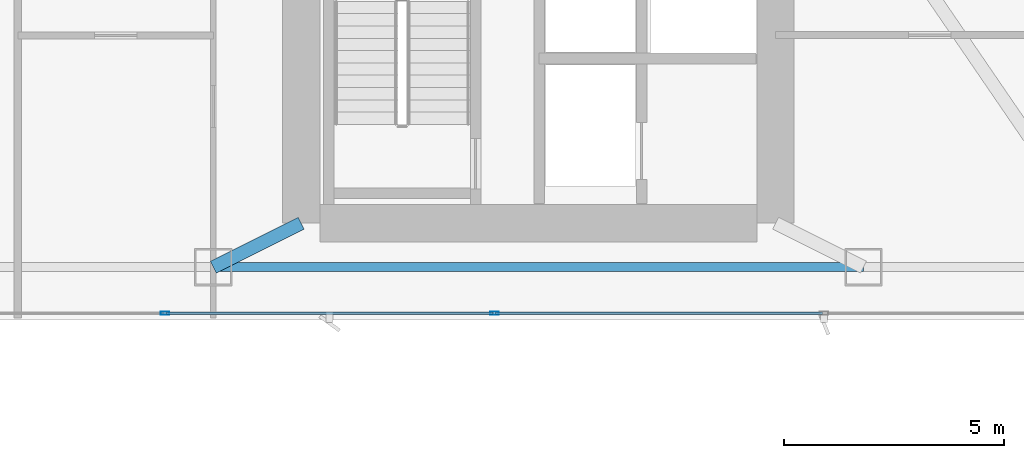
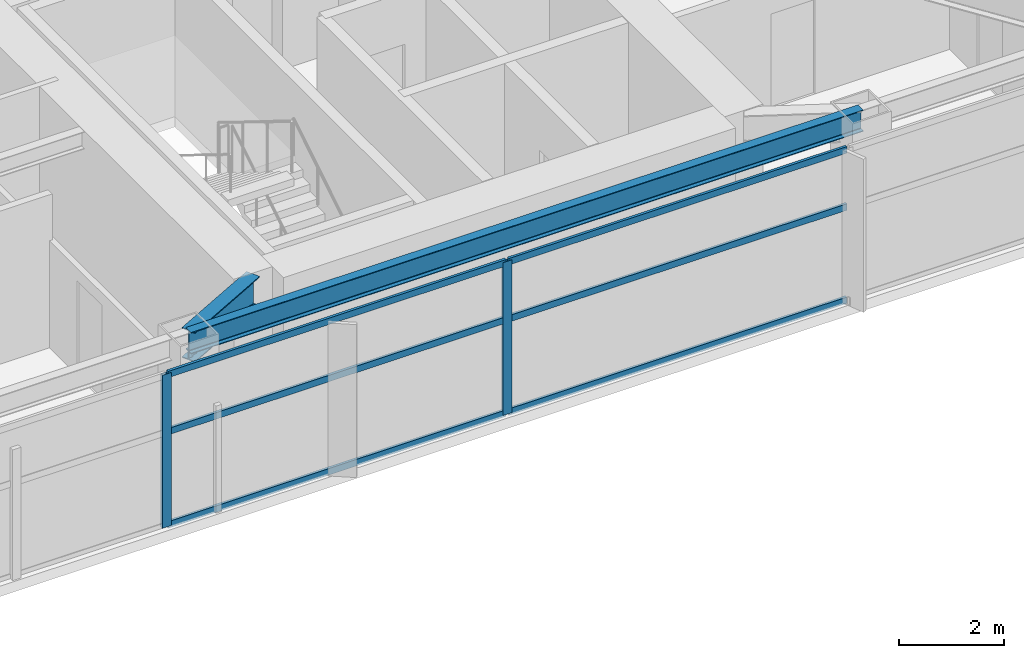
# One storey, part 6 of 28: 8 members, 2 beams, 1 element without a shape of its own.
"""IFC4 building model written with IfcOpenShell, lengths in metres."""

from ifc_helpers import new_model, si_unit, direction, frame, origin, origin_2d, place, context, subcontext, project, spatial, hollow_rectangle, i_section, extrude, material, layer, layer_set, material_profile, profile_set, type_object, element, aggregate, save


model = new_model("IFC4")

# Units and contexts
model_context = context("Model", 3, precision=1e-05, world=origin(), true_north=direction((0.0, 1.0)))
body_context = subcontext(model_context, "Body", "Model", "MODEL_VIEW")
ifc_project = project(units=[si_unit("LENGTHUNIT", "METRE"), si_unit("AREAUNIT", "SQUARE_METRE"), si_unit("VOLUMEUNIT", "CUBIC_METRE"), si_unit("PLANEANGLEUNIT", "RADIAN"), si_unit("MASSUNIT", "GRAM", prefix="KILO")], contexts=[model_context])

# Site, building, storey
site_placement = place(None, origin())
site = spatial("IfcSite", under=ifc_project, at=site_placement, CompositionType="ELEMENT")
building_placement = place(site_placement, origin())
building = spatial("IfcBuilding", under=site, at=building_placement, Name="Calvorn Quay Hotel", CompositionType="ELEMENT")
storey_placement = place(building_placement, frame((0.0, 0.0, 127.800048828125)))
storey = spatial("IfcBuildingStorey", under=building, at=storey_placement, Name="L31", CompositionType="ELEMENT", Elevation=127.800048828125)

# Beams
ifc_material_1 = material(Name="Steel Q390GJC", Category="steel")
ifc_material_profile_1 = material_profile(ifc_material_1, i_section(OverallWidth=0.300048828125, OverallDepth=0.699951171875, WebThickness=0.012939453125, FlangeThickness=0.02392578125, FilletRadius=0.02392578125, at=origin_2d()), Name="HN700x300x13x24")
ifc_profile_set_1 = profile_set([ifc_material_profile_1], Name="Steel Q390GJC")
beam_type_1 = type_object("IfcBeamType", Name="BM-GIRD-MAIN", PredefinedType="BEAM", material=ifc_profile_set_1)
beam_1_placement = place(storey_placement, frame((19.60009765625, 3.60009765625, 3.18994140625), z_axis=(0.894427191, 0.4472135955, 0.0), x_axis=(-0.4472135955, 0.894427191, 0.0)))
element("IfcBeam", 1, at=beam_1_placement, inside=storey, type_object=beam_type_1, Name="Beam BG-L31-S2", PredefinedType="BEAM", context=body_context, shape_type="SweptSolid", body=[
    extrude(i_section(OverallWidth=0.300048828125, OverallDepth=0.699951171875, WebThickness=0.012939453125, FlangeThickness=0.02392578125, FilletRadius=0.02392578125, at=origin_2d()), origin(), (0.0, 0.0, 1.0), 2.236083984375),
])
ifc_material_2 = material(Name="Steel Q355B", Category="steel")
ifc_material_profile_2 = material_profile(ifc_material_2, i_section(OverallWidth=0.199951171875, OverallDepth=0.5, WebThickness=0.010009765625, FlangeThickness=0.01611328125, FilletRadius=0.01611328125, at=origin_2d()), Name="HN500x200x10x16")
ifc_profile_set_2 = profile_set([ifc_material_profile_2], Name="Steel Q355B")
beam_type_2 = type_object("IfcBeamType", Name="BM-SPANDREL-Z1", PredefinedType="SPANDREL", material=ifc_profile_set_2)
beam_2_placement = place(storey_placement, frame((19.60009765625, 3.60009765625, 3.2900390625), z_axis=(1.0, 0.0, 0.0), x_axis=(0.0, 1.0, 0.0)))
element("IfcBeam", 2, at=beam_2_placement, inside=storey, type_object=beam_type_2, Name="Beam BSP-L31-S3", PredefinedType="SPANDREL", context=body_context, shape_type="SweptSolid", body=[
    extrude(i_section(OverallWidth=0.199951171875, OverallDepth=0.5, WebThickness=0.010009765625, FlangeThickness=0.01611328125, FilletRadius=0.01611328125, at=origin_2d()), origin(), (0.0, 0.0, 1.0), 14.7998046875),
])

# Curtain wall, members
ifc_material_3 = material(Name="Pale Anodised Aluminium and Low-E Glass", Category="aluminium")
ifc_layer = layer(ifc_material_3, 0.219970703125)
ifc_layer_set = layer_set([ifc_layer], Name="CW-SYS-Z2")
curtain_wall_type = type_object("IfcCurtainWallType", Name="CW-SYS-Z2", PredefinedType="NOTDEFINED", material=ifc_layer_set)
curtain_wall_placement = place(storey_placement, origin())
curtain_wall = element("IfcCurtainWall", 3, at=curtain_wall_placement, inside=storey, type_object=curtain_wall_type, Name="Tower South Waterfront Curtain Wall (L31)", PredefinedType="NOTDEFINED")
ifc_material_4 = material(Name="Pale Anodised Aluminium 6063-T6", Category="aluminium")
ifc_material_profile_3 = material_profile(ifc_material_4, hollow_rectangle(XDim=0.070068359375, YDim=0.199951171875, WallThickness=0.00390625, at=origin_2d()), Name="ALU-M200x70x4")
ifc_profile_set_3 = profile_set([ifc_material_profile_3], Name="Pale Anodised Aluminium 6063-T6")
member_type_1 = type_object("IfcMemberType", Name="CW-SYS-Z2-MUL", PredefinedType="MULLION", material=ifc_profile_set_3)
member_1_placement = place(storey_placement, frame((18.5, 2.550048828125, 0.0), z_axis=(0.0, 0.0, 1.0), x_axis=(0.0, 1.0, 0.0)))
member_1 = element("IfcMember", 4, at=member_1_placement, type_object=member_type_1, Name="CW-L31-S mullion 2", PredefinedType="MULLION", context=body_context, shape_type="SweptSolid", body=[
    extrude(hollow_rectangle(XDim=0.070068359375, YDim=0.199951171875, WallThickness=0.00390625, at=origin_2d()), origin(), (0.0, 0.0, 1.0), 3.56005859375),
])
member_2_placement = place(storey_placement, frame((26.0, 2.550048828125, 0.0), z_axis=(0.0, 0.0, 1.0), x_axis=(0.0, 1.0, 0.0)))
member_2 = element("IfcMember", 5, at=member_2_placement, type_object=member_type_1, Name="CW-L31-S mullion 3", PredefinedType="MULLION", context=body_context, shape_type="SweptSolid", body=[
    extrude(hollow_rectangle(XDim=0.070068359375, YDim=0.199951171875, WallThickness=0.00390625, at=origin_2d()), origin(), (0.0, 0.0, 1.0), 3.56005859375),
])
ifc_material_5 = material(Name="Pale Anodised Aluminium 6063-T6", Category="aluminium")
ifc_material_profile_4 = material_profile(ifc_material_5, hollow_rectangle(XDim=0.06005859375, YDim=0.14990234375, WallThickness=0.00341796875, at=origin_2d()), Name="ALU-T150x60x3.5")
ifc_profile_set_4 = profile_set([ifc_material_profile_4], Name="Pale Anodised Aluminium 6063-T6")
member_type_2 = type_object("IfcMemberType", Name="CW-SYS-Z2-TRN", PredefinedType="USERDEFINED", material=ifc_profile_set_4)
member_3_placement = place(storey_placement, frame((18.530029296875, 2.550048828125, 0.030029296875), z_axis=(1.0, 0.0, 0.0), x_axis=(0.0, 1.0, 0.0)))
member_3 = element("IfcMember", 6, at=member_3_placement, type_object=member_type_2, Name="CW-L31-S transom 2.1", ObjectType="TRANSOM", PredefinedType="USERDEFINED", context=body_context, shape_type="SweptSolid", body=[
    extrude(hollow_rectangle(XDim=0.06005859375, YDim=0.14990234375, WallThickness=0.00341796875, at=origin_2d()), origin(), (0.0, 0.0, 1.0), 7.43994140625),
])
member_4_placement = place(storey_placement, frame((18.530029296875, 2.550048828125, 2.199951171875), z_axis=(1.0, 0.0, 0.0), x_axis=(0.0, 1.0, 0.0)))
member_4 = element("IfcMember", 7, at=member_4_placement, type_object=member_type_2, Name="CW-L31-S transom 2.2", ObjectType="TRANSOM", PredefinedType="USERDEFINED", context=body_context, shape_type="SweptSolid", body=[
    extrude(hollow_rectangle(XDim=0.06005859375, YDim=0.14990234375, WallThickness=0.00341796875, at=origin_2d()), origin(), (0.0, 0.0, 1.0), 7.43994140625),
])
member_5_placement = place(storey_placement, frame((18.530029296875, 2.550048828125, 3.530029296875), z_axis=(1.0, 0.0, 0.0), x_axis=(0.0, 1.0, 0.0)))
member_5 = element("IfcMember", 8, at=member_5_placement, type_object=member_type_2, Name="CW-L31-S transom 2.3", ObjectType="TRANSOM", PredefinedType="USERDEFINED", context=body_context, shape_type="SweptSolid", body=[
    extrude(hollow_rectangle(XDim=0.06005859375, YDim=0.14990234375, WallThickness=0.00341796875, at=origin_2d()), origin(), (0.0, 0.0, 1.0), 7.43994140625),
])
member_6_placement = place(storey_placement, frame((26.030029296875, 2.550048828125, 0.030029296875), z_axis=(1.0, 0.0, 0.0), x_axis=(0.0, 1.0, 0.0)))
member_6 = element("IfcMember", 9, at=member_6_placement, type_object=member_type_2, Name="CW-L31-S transom 3.1", ObjectType="TRANSOM", PredefinedType="USERDEFINED", context=body_context, shape_type="SweptSolid", body=[
    extrude(hollow_rectangle(XDim=0.06005859375, YDim=0.14990234375, WallThickness=0.00341796875, at=origin_2d()), origin(), (0.0, 0.0, 1.0), 7.43994140625),
])
member_7_placement = place(storey_placement, frame((26.030029296875, 2.550048828125, 2.199951171875), z_axis=(1.0, 0.0, 0.0), x_axis=(0.0, 1.0, 0.0)))
member_7 = element("IfcMember", 10, at=member_7_placement, type_object=member_type_2, Name="CW-L31-S transom 3.2", ObjectType="TRANSOM", PredefinedType="USERDEFINED", context=body_context, shape_type="SweptSolid", body=[
    extrude(hollow_rectangle(XDim=0.06005859375, YDim=0.14990234375, WallThickness=0.00341796875, at=origin_2d()), origin(), (0.0, 0.0, 1.0), 7.43994140625),
])
member_8_placement = place(storey_placement, frame((26.030029296875, 2.550048828125, 3.530029296875), z_axis=(1.0, 0.0, 0.0), x_axis=(0.0, 1.0, 0.0)))
member_8 = element("IfcMember", 11, at=member_8_placement, type_object=member_type_2, Name="CW-L31-S transom 3.3", ObjectType="TRANSOM", PredefinedType="USERDEFINED", context=body_context, shape_type="SweptSolid", body=[
    extrude(hollow_rectangle(XDim=0.06005859375, YDim=0.14990234375, WallThickness=0.00341796875, at=origin_2d()), origin(), (0.0, 0.0, 1.0), 7.43994140625),
])
aggregate(curtain_wall, [member_1, member_2, member_3, member_4, member_5, member_6, member_7, member_8])

save(model, "model.ifc")
